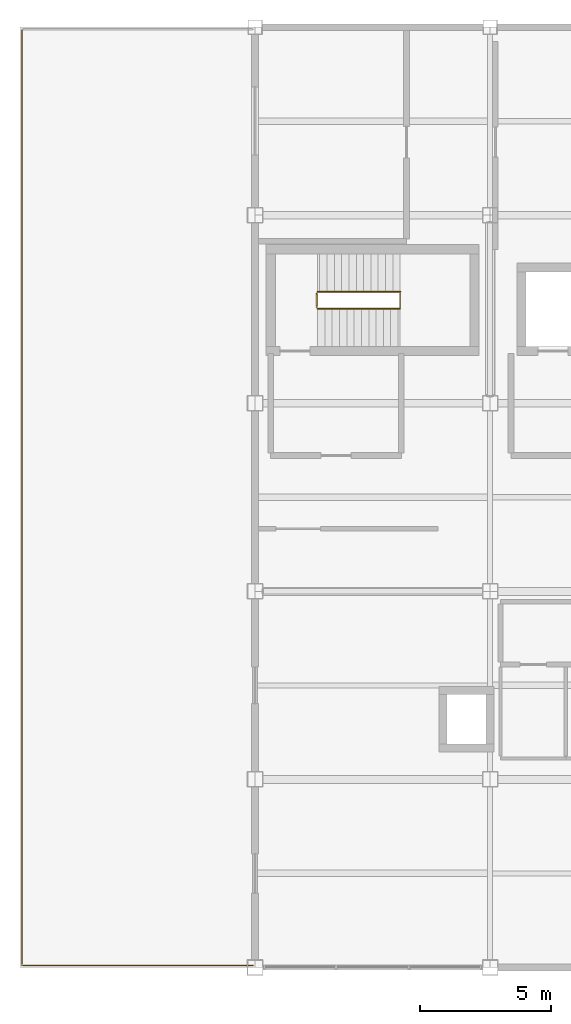
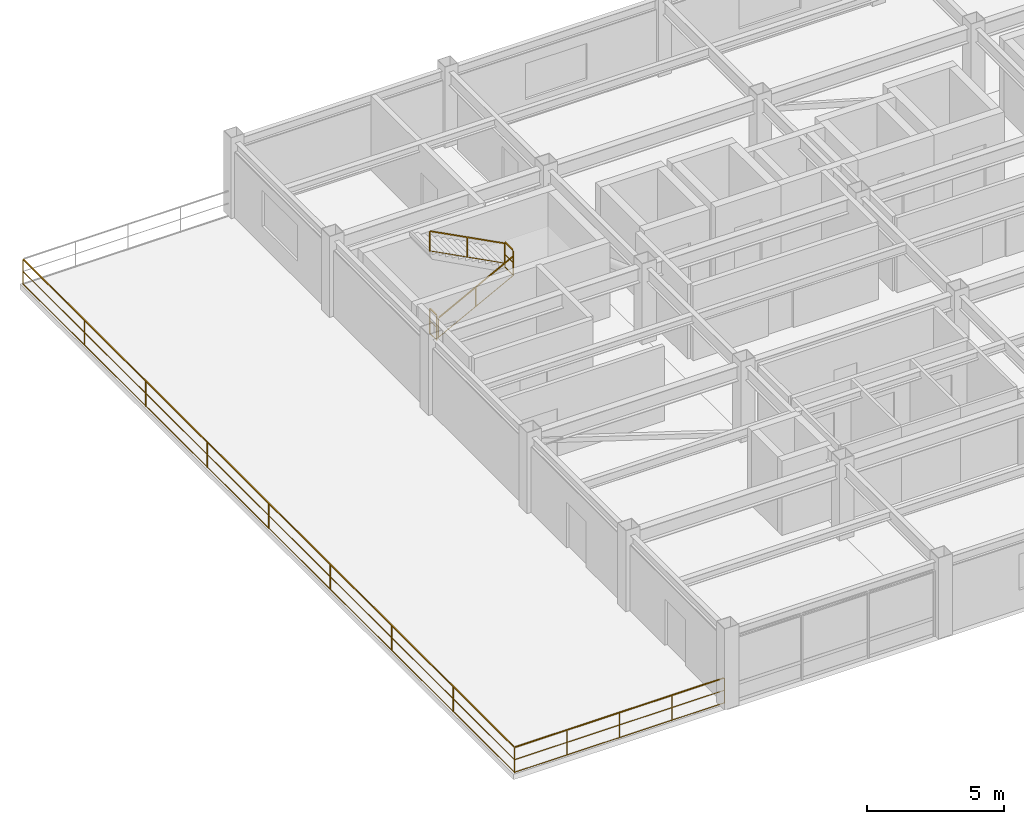
# One storey, part 9 of 11: 6 railings.
"""IFC4 building model written with IfcOpenShell, lengths in metres."""

from ifc_helpers import new_model, si_unit, direction, frame, origin, origin_2d, place, context, subcontext, project, spatial, rectangle, extrude, material, type_object, element, save


model = new_model("IFC4")

# Units and contexts
model_context = context("Model", 3, precision=1e-05, world=origin(), true_north=direction((0.0, 1.0)))
body_context = subcontext(model_context, "Body", "Model", "MODEL_VIEW")
ifc_project = project(units=[si_unit("LENGTHUNIT", "METRE"), si_unit("AREAUNIT", "SQUARE_METRE"), si_unit("VOLUMEUNIT", "CUBIC_METRE"), si_unit("PLANEANGLEUNIT", "RADIAN"), si_unit("MASSUNIT", "GRAM", prefix="KILO")], contexts=[model_context])

# Site, building, storey
site_placement = place(None, origin())
site = spatial("IfcSite", under=ifc_project, at=site_placement, CompositionType="ELEMENT")
building_placement = place(site_placement, origin())
building = spatial("IfcBuilding", under=site, at=building_placement, Name="Kazanami Central Library", CompositionType="ELEMENT")
storey_placement = place(building_placement, frame((0.0, 0.0, 24.199951171875)))
storey = spatial("IfcBuildingStorey", under=building, at=storey_placement, Name="L07", CompositionType="ELEMENT", Elevation=24.199951171875)

# Railings
ifc_material = material(Name="Stainless Steel SUS304", Category="steel")
railing_type_1 = type_object("IfcRailingType", Name="RAL-GR-S1", PredefinedType="GUARDRAIL", material=ifc_material)
railing_1_placement = place(storey_placement, frame((128.360107421875, 82.89501953125, 0.0)))
element("IfcRailing", 1, at=railing_1_placement, inside=storey, type_object=railing_type_1, Name="Stair Well Guard ST-01 L07", PredefinedType="GUARDRAIL", context=body_context, shape_type="SweptSolid", body=[
    extrude(rectangle(XDim=0.0439453125, YDim=0.0439453125, at=origin_2d()), frame((0.0, 0.02587890625, 1.1279296875), z_axis=(0.0, 1.0, 0.0), x_axis=(-1.0, 0.0, 0.0)), (0.0, 0.0, 1.0), 0.4580078125),
    extrude(rectangle(XDim=0.02392578125, YDim=0.02392578125, at=origin_2d()), frame((0.0, 0.02587890625, 0.015869140625), z_axis=(0.0, 1.0, 0.0), x_axis=(-1.0, 0.0, 0.0)), (0.0, 0.0, 1.0), 0.4580078125),
    extrude(rectangle(XDim=0.02392578125, YDim=0.02392578125, at=origin_2d()), frame((0.0, 0.02587890625, 0.574951171875), z_axis=(0.0, 1.0, 0.0), x_axis=(-1.0, 0.0, 0.0)), (0.0, 0.0, 1.0), 0.4580078125),
    extrude(rectangle(XDim=0.035888671875, YDim=0.035888671875, at=origin_2d()), origin(), (0.0, 0.0, 1.0), 1.10205078125),
    extrude(rectangle(XDim=0.035888671875, YDim=0.035888671875, at=origin_2d()), frame((0.0, 0.510009765625, 0.0)), (0.0, 0.0, 1.0), 1.10205078125),
])
railing_2_placement = place(storey_placement, frame((131.548095703125, 82.844970703125, 1.800048828125)))
element("IfcRailing", 2, at=railing_2_placement, inside=storey, type_object=railing_type_1, Name="Half-Landing Well Guard ST-01 L07", PredefinedType="GUARDRAIL", context=body_context, shape_type="SweptSolid", body=[
    extrude(rectangle(XDim=0.0439453125, YDim=0.0439453125, at=origin_2d()), frame((0.0, 0.02587890625, 1.1279296875), z_axis=(0.0, 1.0, 0.0), x_axis=(-1.0, 0.0, 0.0)), (0.0, 0.0, 1.0), 0.55810546875),
    extrude(rectangle(XDim=0.02392578125, YDim=0.02392578125, at=origin_2d()), frame((0.0, 0.02587890625, 0.015869140625), z_axis=(0.0, 1.0, 0.0), x_axis=(-1.0, 0.0, 0.0)), (0.0, 0.0, 1.0), 0.55810546875),
    extrude(rectangle(XDim=0.02392578125, YDim=0.02392578125, at=origin_2d()), frame((0.0, 0.02587890625, 0.574951171875), z_axis=(0.0, 1.0, 0.0), x_axis=(-1.0, 0.0, 0.0)), (0.0, 0.0, 1.0), 0.55810546875),
    extrude(rectangle(XDim=0.035888671875, YDim=0.035888671875, at=origin_2d()), origin(), (0.0, 0.0, 1.0), 1.10205078125),
    extrude(rectangle(XDim=0.035888671875, YDim=0.035888671875, at=origin_2d()), frame((0.0, 0.610107421875, 0.0)), (0.0, 0.0, 1.0), 1.10205078125),
])
railing_type_2 = type_object("IfcRailingType", Name="RAL-GR-T1", PredefinedType="GUARDRAIL", material=ifc_material)
railing_3_placement = place(storey_placement, frame((117.080078125, 57.679931640625, 0.0)))
element("IfcRailing", 3, at=railing_3_placement, inside=storey, type_object=railing_type_2, Name="Terrace Perimeter Guard Archive Wing West Courtyard Terrace L07 (West)", PredefinedType="GUARDRAIL", context=body_context, shape_type="SweptSolid", body=[
    extrude(rectangle(XDim=0.0439453125, YDim=0.0439453125, at=origin_2d()), frame((0.0, 0.02587890625, 1.1279296875), z_axis=(0.0, 1.0, 0.0), x_axis=(-1.0, 0.0, 0.0)), (0.0, 0.0, 1.0), 35.7880859375),
    extrude(rectangle(XDim=0.02392578125, YDim=0.02392578125, at=origin_2d()), frame((0.0, 0.02587890625, 0.015869140625), z_axis=(0.0, 1.0, 0.0), x_axis=(-1.0, 0.0, 0.0)), (0.0, 0.0, 1.0), 35.7880859375),
    extrude(rectangle(XDim=0.02392578125, YDim=0.02392578125, at=origin_2d()), frame((0.0, 0.02587890625, 0.574951171875), z_axis=(0.0, 1.0, 0.0), x_axis=(-1.0, 0.0, 0.0)), (0.0, 0.0, 1.0), 35.7880859375),
    extrude(rectangle(XDim=0.035888671875, YDim=0.035888671875, at=origin_2d()), origin(), (0.0, 0.0, 1.0), 1.10205078125),
    extrude(rectangle(XDim=0.035888671875, YDim=0.035888671875, at=origin_2d()), frame((0.0, 4.47998046875, 0.0)), (0.0, 0.0, 1.0), 1.10205078125),
    extrude(rectangle(XDim=0.035888671875, YDim=0.035888671875, at=origin_2d()), frame((0.0, 8.9599609375, 0.0)), (0.0, 0.0, 1.0), 1.10205078125),
    extrude(rectangle(XDim=0.035888671875, YDim=0.035888671875, at=origin_2d()), frame((0.0, 13.43994140625, 0.0)), (0.0, 0.0, 1.0), 1.10205078125),
    extrude(rectangle(XDim=0.035888671875, YDim=0.035888671875, at=origin_2d()), frame((0.0, 17.919921875, 0.0)), (0.0, 0.0, 1.0), 1.10205078125),
    extrude(rectangle(XDim=0.035888671875, YDim=0.035888671875, at=origin_2d()), frame((0.0, 22.400146484375, 0.0)), (0.0, 0.0, 1.0), 1.10205078125),
    extrude(rectangle(XDim=0.035888671875, YDim=0.035888671875, at=origin_2d()), frame((0.0, 26.880126953125, 0.0)), (0.0, 0.0, 1.0), 1.10205078125),
    extrude(rectangle(XDim=0.035888671875, YDim=0.035888671875, at=origin_2d()), frame((0.0, 31.360107421875, 0.0)), (0.0, 0.0, 1.0), 1.10205078125),
    extrude(rectangle(XDim=0.035888671875, YDim=0.035888671875, at=origin_2d()), frame((0.0, 35.840087890625, 0.0)), (0.0, 0.0, 1.0), 1.10205078125),
])
railing_4_placement = place(storey_placement, frame((117.080078125, 57.679931640625, 0.0)))
element("IfcRailing", 4, at=railing_4_placement, inside=storey, type_object=railing_type_2, Name="Terrace Perimeter Guard Archive Wing West Courtyard Terrace L07 (South)", PredefinedType="GUARDRAIL", context=body_context, shape_type="SweptSolid", body=[
    extrude(rectangle(XDim=0.0439453125, YDim=0.0439453125, at=origin_2d()), frame((0.02587890625, 0.0, 1.1279296875), z_axis=(1.0, 0.0, 0.0), x_axis=(0.0, 1.0, 0.0)), (0.0, 0.0, 1.0), 8.787841796875),
    extrude(rectangle(XDim=0.02392578125, YDim=0.02392578125, at=origin_2d()), frame((0.02587890625, 0.0, 0.015869140625), z_axis=(1.0, 0.0, 0.0), x_axis=(0.0, 1.0, 0.0)), (0.0, 0.0, 1.0), 8.787841796875),
    extrude(rectangle(XDim=0.02392578125, YDim=0.02392578125, at=origin_2d()), frame((0.02587890625, 0.0, 0.574951171875), z_axis=(1.0, 0.0, 0.0), x_axis=(0.0, 1.0, 0.0)), (0.0, 0.0, 1.0), 8.787841796875),
    extrude(rectangle(XDim=0.035888671875, YDim=0.035888671875, at=origin_2d()), origin(), (0.0, 0.0, 1.0), 1.10205078125),
    extrude(rectangle(XDim=0.035888671875, YDim=0.035888671875, at=origin_2d()), frame((2.2099609375, 0.0, 0.0)), (0.0, 0.0, 1.0), 1.10205078125),
    extrude(rectangle(XDim=0.035888671875, YDim=0.035888671875, at=origin_2d()), frame((4.419921875, 0.0, 0.0)), (0.0, 0.0, 1.0), 1.10205078125),
    extrude(rectangle(XDim=0.035888671875, YDim=0.035888671875, at=origin_2d()), frame((6.6298828125, 0.0, 0.0)), (0.0, 0.0, 1.0), 1.10205078125),
    extrude(rectangle(XDim=0.035888671875, YDim=0.035888671875, at=origin_2d()), frame((8.83984375, 0.0, 0.0)), (0.0, 0.0, 1.0), 1.10205078125),
])
railing_type_3 = type_object("IfcRailingType", Name="RAL-HR-01", PredefinedType="HANDRAIL", material=ifc_material)
railing_5_placement = place(storey_placement, frame((128.39404296875, 82.824951171875, 0.150146484375)))
element("IfcRailing", 5, at=railing_5_placement, inside=storey, type_object=railing_type_3, Name="Stair Handrail ST-01 Flight 1 (L07)", PredefinedType="HANDRAIL", context=body_context, shape_type="SweptSolid", body=[
    extrude(rectangle(XDim=0.0439453125, YDim=0.0439453125, at=origin_2d()), frame((0.02294921875, 0.0, 0.889892578125), z_axis=(0.886087811587, 0.0, 0.463517410845), x_axis=(0.0, 1.0, 0.0)), (0.0, 0.0, 1.0), 3.507568359375),
    extrude(rectangle(XDim=0.02392578125, YDim=0.02392578125, at=origin_2d()), frame((0.02294921875, 0.0, 0.028076171875), z_axis=(0.886087811587, 0.0, 0.463517410845), x_axis=(0.0, 1.0, 0.0)), (0.0, 0.0, 1.0), 3.507568359375),
    extrude(rectangle(XDim=0.035888671875, YDim=0.035888671875, at=origin_2d()), origin(), (0.0, 0.0, 1.0), 0.85205078125),
    extrude(rectangle(XDim=0.035888671875, YDim=0.035888671875, at=origin_2d()), frame((1.5771484375, 0.0, 0.824951171875)), (0.0, 0.0, 1.0), 0.85205078125),
    extrude(rectangle(XDim=0.035888671875, YDim=0.035888671875, at=origin_2d()), frame((3.154052734375, 0.0, 1.64990234375)), (0.0, 0.0, 1.0), 0.85205078125),
])
railing_type_4 = type_object("IfcRailingType", Name="RAL-HR-02", PredefinedType="HANDRAIL", material=ifc_material)
railing_6_placement = place(storey_placement, frame((131.553955078125, 83.47509765625, 1.949951171875)))
element("IfcRailing", 6, at=railing_6_placement, inside=storey, type_object=railing_type_4, Name="Stair Handrail ST-01 Flight 2 (L07)", PredefinedType="HANDRAIL", context=body_context, shape_type="SweptSolid", body=[
    extrude(rectangle(XDim=0.0439453125, YDim=0.0439453125, at=origin_2d()), frame((-0.02294921875, 0.0, 0.909912109375), z_axis=(-0.886059640598, 0.0, 0.463571260222), x_axis=(0.0, -1.0, 0.0)), (0.0, 0.0, 1.0), 3.507568359375),
    extrude(rectangle(XDim=0.02392578125, YDim=0.02392578125, at=origin_2d()), frame((-0.02294921875, 0.0, 0.028076171875), z_axis=(-0.886059640598, 0.0, 0.463571260222), x_axis=(0.0, -1.0, 0.0)), (0.0, 0.0, 1.0), 3.507568359375),
    extrude(rectangle(XDim=0.035888671875, YDim=0.035888671875, at=origin_2d()), origin(), (0.0, 0.0, 1.0), 0.8720703125),
    extrude(rectangle(XDim=0.035888671875, YDim=0.035888671875, at=origin_2d()), frame((-1.5771484375, 0.0, 0.8251953125)), (0.0, 0.0, 1.0), 0.8720703125),
    extrude(rectangle(XDim=0.035888671875, YDim=0.035888671875, at=origin_2d()), frame((-3.154052734375, 0.0, 1.650146484375)), (0.0, 0.0, 1.0), 0.8720703125),
])

save(model, "model.ifc")
